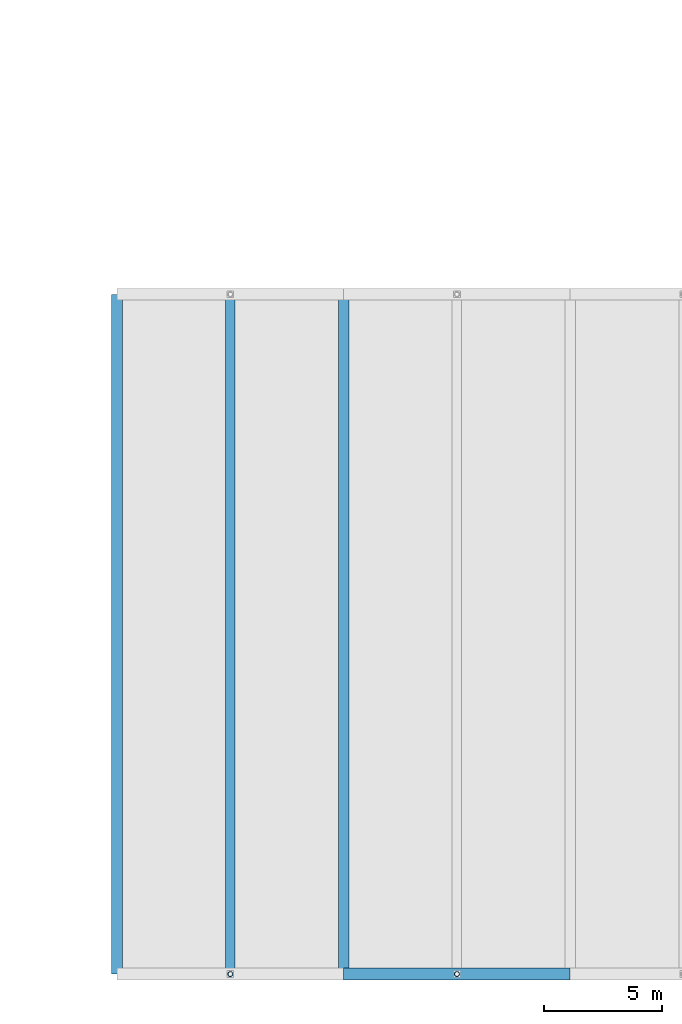
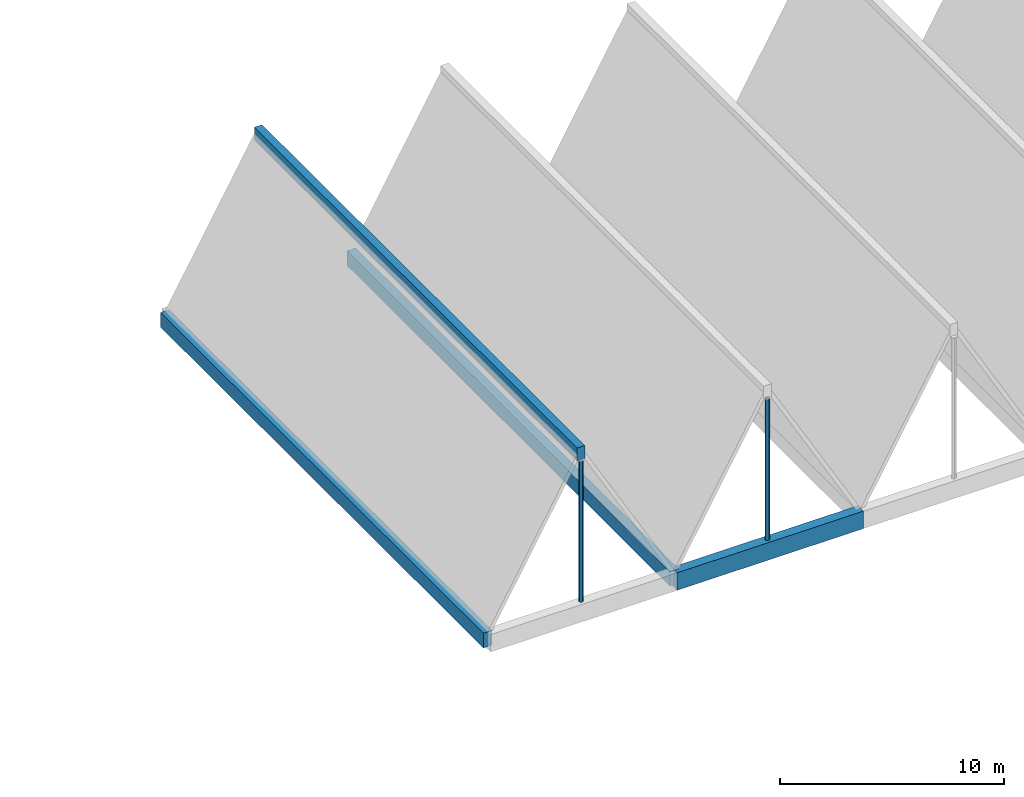
# One storey, part 5 of 86: 4 beams, 2 members, 1 element without a shape of its own.
"""IFC4 building model written with IfcOpenShell, lengths in metres."""

from ifc_helpers import new_model, si_unit, direction, frame, origin, origin_2d, place, context, subcontext, project, spatial, rectangle, hollow_circle, extrude, material, material_profile, profile_set, type_object, element, aggregate, save


model = new_model("IFC4")

# Units and contexts
model_context = context("Model", 3, precision=1e-05, world=origin(), true_north=direction((0.0, 1.0)))
body_context = subcontext(model_context, "Body", "Model", "MODEL_VIEW")
ifc_project = project(units=[si_unit("LENGTHUNIT", "METRE"), si_unit("AREAUNIT", "SQUARE_METRE"), si_unit("VOLUMEUNIT", "CUBIC_METRE"), si_unit("PLANEANGLEUNIT", "RADIAN"), si_unit("MASSUNIT", "GRAM", prefix="KILO")], contexts=[model_context])

# Site, building, storey
site_placement = place(None, origin())
site = spatial("IfcSite", under=ifc_project, at=site_placement, CompositionType="ELEMENT")
building_placement = place(site_placement, origin())
building = spatial("IfcBuilding", under=site, at=building_placement, Name="Oolite Switchyard Hospital", CompositionType="ELEMENT")
storey_placement = place(building_placement, frame((0.0, 0.0, 13.5)))
storey = spatial("IfcBuildingStorey", under=building, at=storey_placement, Name="L03", CompositionType="ELEMENT", Elevation=13.5)

# Roof, beams, members
ifc_material_1 = material(Name="Concrete C40/50", Category="concrete")
roof_type = type_object("IfcRoofType", Name="ROOF-FOLDED", PredefinedType="FREEFORM", material=ifc_material_1)
roof_placement = place(storey_placement, origin())
roof = element("IfcRoof", 1, at=roof_placement, inside=storey, type_object=roof_type, Name="L03 Main Arrival Hall Folded-Plate Roof", PredefinedType="FREEFORM")
ifc_material_profile_1 = material_profile(ifc_material_1, rectangle(XDim=0.5, YDim=0.949951171875, at=origin_2d()), Name="RCG500X950")
ifc_profile_set_1 = profile_set([ifc_material_profile_1], Name="Concrete C40/50")
beam_type_1 = type_object("IfcBeamType", Name="BM-GABLE950", PredefinedType="T_BEAM", material=ifc_profile_set_1)
beam_1_placement = place(storey_placement, frame((76.800048828125, 4.800048828125, -0.47509765625), z_axis=(1.0, 0.0, 0.0), x_axis=(0.0, 1.0, 0.0)))
beam_1 = element("IfcBeam", 2, at=beam_1_placement, type_object=beam_type_1, Name="Main Hall Gable Diaphragm Tie Beam S2", PredefinedType="T_BEAM", context=body_context, shape_type="SweptSolid", body=[
    extrude(rectangle(XDim=0.5, YDim=0.949951171875, at=origin_2d()), origin(), (0.0, 0.0, 1.0), 9.599853515625),
])
ifc_material_profile_2 = material_profile(ifc_material_1, rectangle(XDim=0.39990234375, YDim=0.699951171875, at=origin_2d()), Name="RCR400X700")
ifc_profile_set_2 = profile_set([ifc_material_profile_2], Name="Concrete C40/50")
beam_type_2 = type_object("IfcBeamType", Name="BM-RIDGE700", PredefinedType="T_BEAM", material=ifc_profile_set_2)
beam_2_placement = place(storey_placement, frame((72.0, 4.800048828125, 8.050048828125), z_axis=(0.0, 1.0, 0.0), x_axis=(-1.0, 0.0, 0.0)))
beam_2 = element("IfcBeam", 3, at=beam_2_placement, type_object=beam_type_2, Name="Main Hall Folded-Plate Ridge Beam 1", PredefinedType="T_BEAM", context=body_context, shape_type="SweptSolid", body=[
    extrude(rectangle(XDim=0.39990234375, YDim=0.699951171875, at=origin_2d()), origin(), (0.0, 0.0, 1.0), 28.800048828125),
])
ifc_material_profile_3 = material_profile(ifc_material_1, rectangle(XDim=0.449951171875, YDim=0.800048828125, at=origin_2d()), Name="RCV450X800")
ifc_profile_set_3 = profile_set([ifc_material_profile_3], Name="Concrete C40/50")
beam_type_3 = type_object("IfcBeamType", Name="BM-VALLEY800", PredefinedType="T_BEAM", material=ifc_profile_set_3)
beam_3_placement = place(storey_placement, frame((67.199951171875, 4.800048828125, -0.39990234375), z_axis=(0.0, 1.0, 0.0), x_axis=(-1.0, 0.0, 0.0)))
beam_3 = element("IfcBeam", 4, at=beam_3_placement, type_object=beam_type_3, Name="Main Hall Folded-Plate Valley Beam 1", PredefinedType="T_BEAM", context=body_context, shape_type="SweptSolid", body=[
    extrude(rectangle(XDim=0.449951171875, YDim=0.800048828125, at=origin_2d()), origin(), (0.0, 0.0, 1.0), 28.800048828125),
])
beam_4_placement = place(storey_placement, frame((76.800048828125, 4.800048828125, -0.39990234375), z_axis=(0.0, 1.0, 0.0), x_axis=(-1.0, 0.0, 0.0)))
beam_4 = element("IfcBeam", 5, at=beam_4_placement, type_object=beam_type_3, Name="Main Hall Folded-Plate Valley Beam 2", PredefinedType="T_BEAM", context=body_context, shape_type="SweptSolid", body=[
    extrude(rectangle(XDim=0.449951171875, YDim=0.800048828125, at=origin_2d()), origin(), (0.0, 0.0, 1.0), 28.800048828125),
])
ifc_material_2 = material(Name="Steel ASTM A500 Grade C", Category="steel")
ifc_material_profile_4 = material_profile(ifc_material_2, hollow_circle(Radius=0.109619140625, WallThickness=0.012939453125, at=origin_2d()), Name="HSS219X13")
ifc_profile_set_4 = profile_set([ifc_material_profile_4], Name="Steel ASTM A500 Grade C")
member_type = type_object("IfcMemberType", Name="MEM-ST-CHS219", PredefinedType="STRUT", material=ifc_profile_set_4)
member_1_placement = place(storey_placement, frame((72.0, 4.800048828125, 0.0), z_axis=(0.0, 0.0, 1.0), x_axis=(1.0, 0.0, 0.0)))
member_1 = element("IfcMember", 6, at=member_1_placement, type_object=member_type, Name="Main Hall Gable King-Post Strut S1", PredefinedType="STRUT", context=body_context, shape_type="SweptSolid", body=[
    extrude(hollow_circle(Radius=0.109619140625, WallThickness=0.012939453125, at=origin_2d()), origin(), (0.0, 0.0, 1.0), 7.699951171875),
])
member_2_placement = place(storey_placement, frame((81.60009765625, 4.800048828125, 0.0), z_axis=(0.0, 0.0, 1.0), x_axis=(1.0, 0.0, 0.0)))
member_2 = element("IfcMember", 7, at=member_2_placement, type_object=member_type, Name="Main Hall Gable King-Post Strut S2", PredefinedType="STRUT", context=body_context, shape_type="SweptSolid", body=[
    extrude(hollow_circle(Radius=0.109619140625, WallThickness=0.012939453125, at=origin_2d()), origin(), (0.0, 0.0, 1.0), 7.699951171875),
])
aggregate(roof, [beam_2, beam_3, member_1, beam_4, beam_1, member_2])

save(model, "model.ifc")
